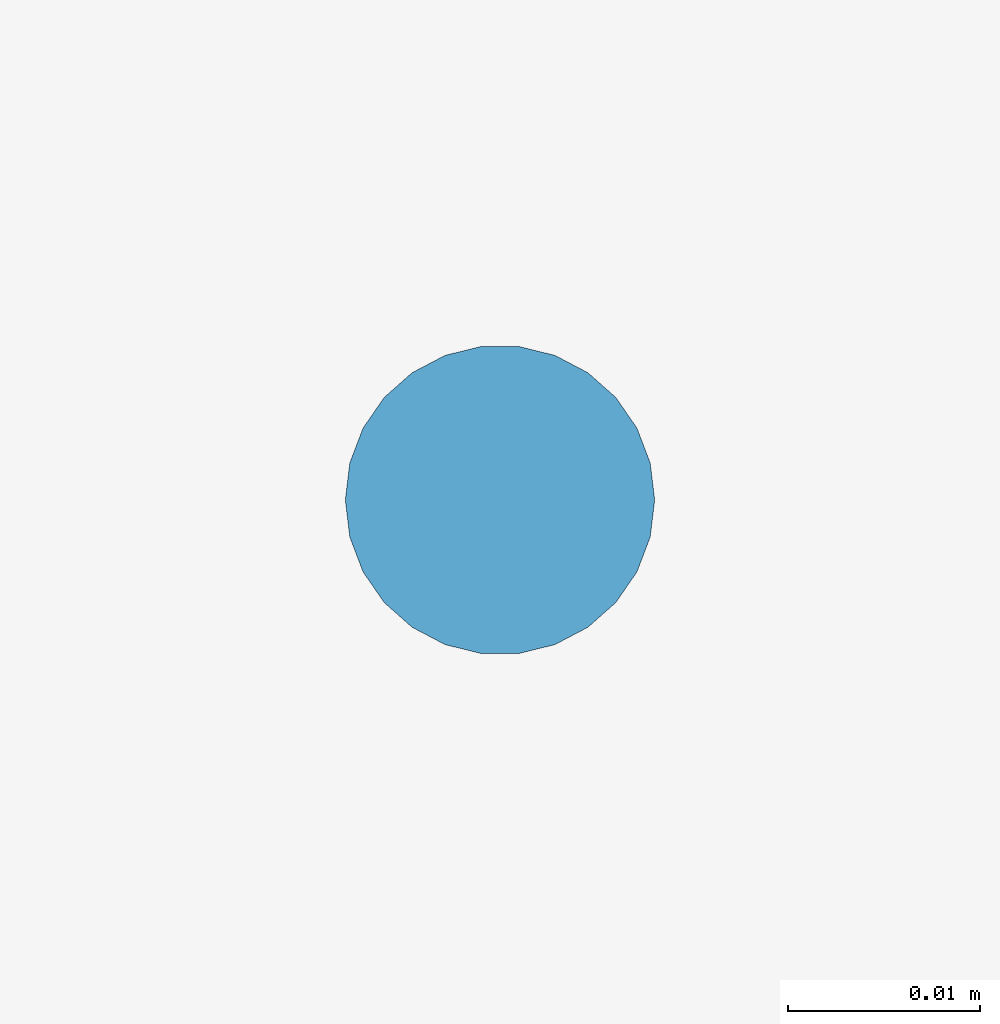
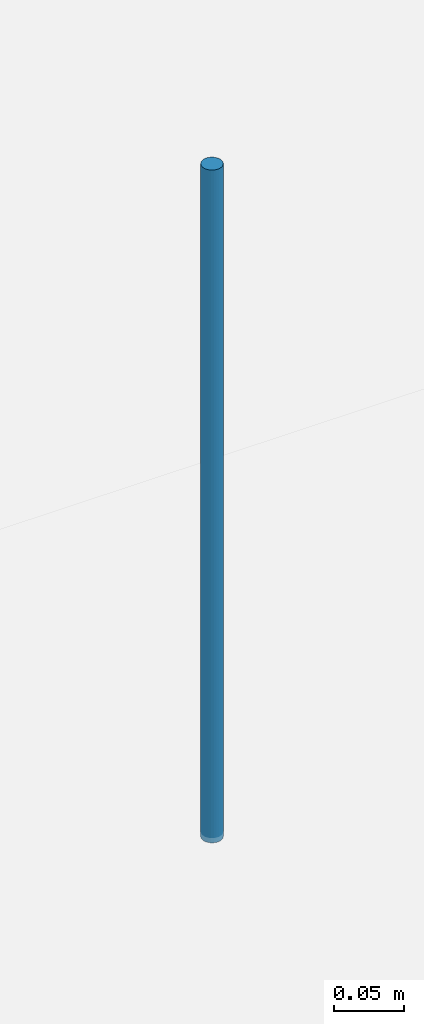
# One storey, part 70 of 75: 1 discrete accessory.
"""IFC4 building model written with IfcOpenShell, lengths in metres."""

from ifc_helpers import new_model, si_unit, direction, frame, origin, origin_2d, place, context, subcontext, project, spatial, circle, extrude, material, type_object, element, save


model = new_model("IFC4")

# Units and contexts
model_context = context("Model", 3, precision=1e-05, world=origin(), true_north=direction((0.0, 1.0)))
body_context = subcontext(model_context, "Body", "Model", "MODEL_VIEW")
ifc_project = project(units=[si_unit("LENGTHUNIT", "METRE"), si_unit("AREAUNIT", "SQUARE_METRE"), si_unit("VOLUMEUNIT", "CUBIC_METRE"), si_unit("PLANEANGLEUNIT", "RADIAN"), si_unit("MASSUNIT", "GRAM", prefix="KILO")], contexts=[model_context])

# Site, building, storey
site_placement = place(None, origin())
site = spatial("IfcSite", under=ifc_project, at=site_placement, CompositionType="ELEMENT")
building_placement = place(site_placement, origin())
building = spatial("IfcBuilding", under=site, at=building_placement, Name="Yukiwa Park Conservatory and Herbarium", CompositionType="ELEMENT")
storey_placement = place(building_placement, frame((0.0, 0.0, 4.800048828125)))
storey = spatial("IfcBuildingStorey", under=building, at=storey_placement, Name="L01", CompositionType="ELEMENT", Elevation=4.800048828125)

# Discrete accessory
ifc_material = material(Name="Steel Q235B", Category="steel")
discrete_accessory_type = type_object("IfcDiscreteAccessoryType", Name="ACC-CEILING-HANGER", PredefinedType="BRACKET", material=ifc_material)
discrete_accessory_placement = place(storey_placement, frame((61.39990234375, 76.60009765625, 3.375), z_axis=(0.0, 0.0, 1.0), x_axis=(1.0, 0.0, 0.0)))
element("IfcDiscreteAccessory", 1, at=discrete_accessory_placement, inside=storey, type_object=discrete_accessory_type, Name="Ceiling suspension hanger rod 16", PredefinedType="BRACKET", context=body_context, shape_type="SweptSolid", body=[
    extrude(circle(Radius=0.008056640625, at=origin_2d()), origin(), (0.0, 0.0, 1.0), 0.5849609375),
])

save(model, "model.ifc")
